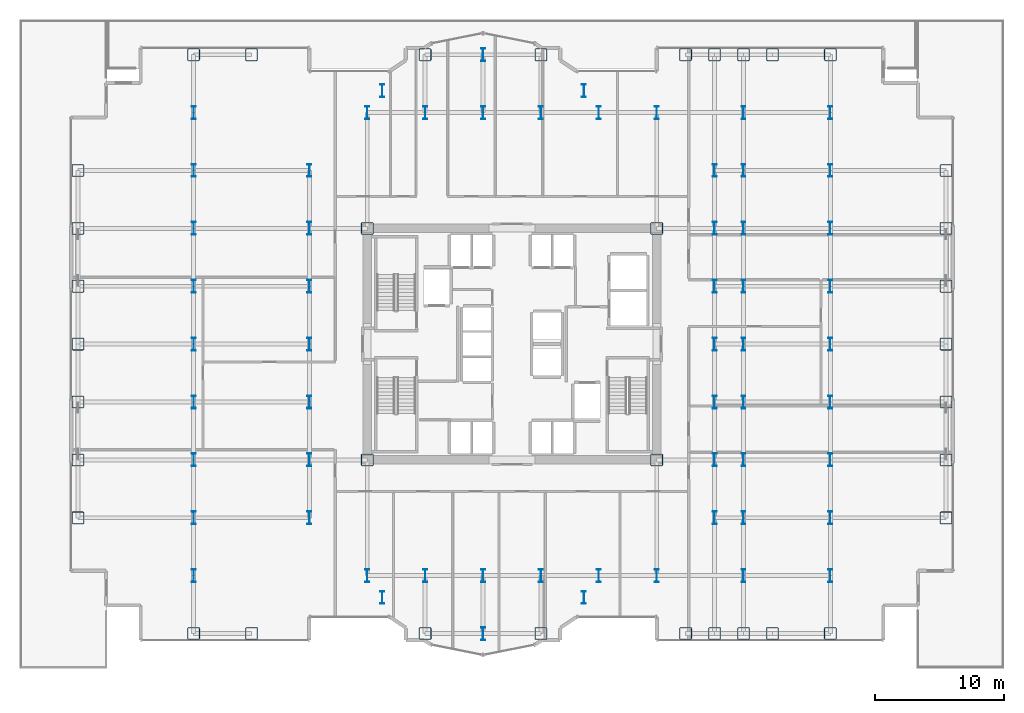
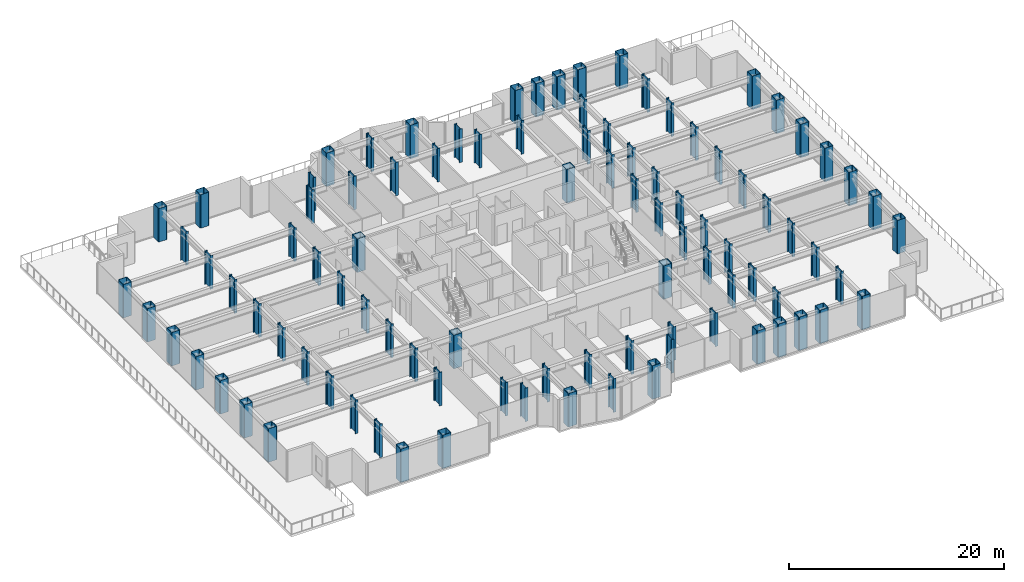
# One storey, part 1 of 30: 95 columns.
"""IFC4 building model written with IfcOpenShell, lengths in metres."""

from ifc_helpers import new_model, si_unit, direction, frame, origin, origin_2d, place, context, subcontext, project, spatial, hollow_rectangle, i_section, extrude, source, transform, mapped, material, material_profile, profile_set, type_object, element, save


model = new_model("IFC4")

# Units and contexts
model_context = context("Model", 3, precision=1e-05, world=origin(), true_north=direction((0.0, 1.0)))
body_context = subcontext(model_context, "Body", "Model", "MODEL_VIEW")
ifc_project = project(units=[si_unit("LENGTHUNIT", "METRE"), si_unit("AREAUNIT", "SQUARE_METRE"), si_unit("VOLUMEUNIT", "CUBIC_METRE"), si_unit("PLANEANGLEUNIT", "RADIAN"), si_unit("MASSUNIT", "GRAM", prefix="KILO")], contexts=[model_context])

# Site, building, storey
site_placement = place(None, origin())
site = spatial("IfcSite", under=ifc_project, at=site_placement, CompositionType="ELEMENT")
building_placement = place(site_placement, origin())
building = spatial("IfcBuilding", under=site, at=building_placement, Name="Nefas-Gora Pilgrimage Tower", CompositionType="ELEMENT")
storey_placement = place(building_placement, frame((0.0, 0.0, 33.0)))
storey = spatial("IfcBuildingStorey", under=building, at=storey_placement, Name="L06", CompositionType="ELEMENT", Elevation=33.0)

# Columns
ifc_material = material(Name="Steel S460", Category="steel")
ifc_material_profile_1 = material_profile(ifc_material, hollow_rectangle(XDim=0.949951171875, YDim=0.949951171875, WallThickness=0.044921875, InnerFilletRadius=0.044921875, OuterFilletRadius=0.090087890625, at=origin_2d()), Name="BOX 950x950x45")
ifc_profile_set_1 = profile_set([ifc_material_profile_1], Name="Steel S460")
column_type_1 = type_object("IfcColumnType", Name="COL-TUBE-950", PredefinedType="COLUMN", material=ifc_profile_set_1)
shared_shape_1 = source(origin(), body_context, "Body", "SweptSolid", [
    extrude(hollow_rectangle(XDim=0.949951171875, YDim=0.949951171875, WallThickness=0.044921875, InnerFilletRadius=0.044921875, OuterFilletRadius=0.090087890625, at=origin_2d()), origin(), (0.0, 0.0, 1.0), 3.800048828125),
])
for number, where, z_axis, x_axis, name in (
    (1, (-33.75, -13.5, 0.0), (0.0, 0.0, 1.0), (1.0, 0.0, 0.0), "L06 Tower Column C-Z1.1"),
    (2, (-33.75, -9.0, 0.0), (0.0, 0.0, 1.0), (1.0, 0.0, 0.0), "L06 Tower Column C-Z1.2"),
    (3, (-33.75, -4.5, 0.0), (0.0, 0.0, 1.0), (1.0, 0.0, 0.0), "L06 Tower Column C-Z1.3"),
    (4, (-33.75, 0.0, 0.0), (0.0, 0.0, 1.0), (1.0, 0.0, 0.0), "L06 Tower Column C-Z1.4"),
    (5, (-33.75, 4.5, 0.0), (0.0, 0.0, 1.0), (1.0, 0.0, 0.0), "L06 Tower Column C-Z1.5"),
    (6, (-33.75, 9.0, 0.0), (0.0, 0.0, 1.0), (1.0, 0.0, 0.0), "L06 Tower Column C-Z1.6"),
    (7, (-33.75, 13.5, 0.0), (0.0, 0.0, 1.0), (1.0, 0.0, 0.0), "L06 Tower Column C-Z1.7"),
    (8, (-24.75, -22.5, 0.0), (0.0, 0.0, 1.0), (1.0, 0.0, 0.0), "L06 Tower Column C-Z1.8"),
    (9, (-24.75, 22.5, 0.0), (0.0, 0.0, 1.0), (1.0, 0.0, 0.0), "L06 Tower Column C-Z1.18"),
    (10, (-20.25, -22.5, 0.0), (0.0, 0.0, 1.0), (1.0, 0.0, 0.0), "L06 Tower Column C-Z1.19"),
    (11, (-20.25, 22.5, 0.0), (0.0, 0.0, 1.0), (1.0, 0.0, 0.0), "L06 Tower Column C-Z1.20"),
    (12, (-6.75, -22.5, 0.0), (0.0, 0.0, 1.0), (1.0, 0.0, 0.0), "L06 Tower Column C-Z1.34"),
    (13, (-6.75, 22.5, 0.0), (0.0, 0.0, 1.0), (1.0, 0.0, 0.0), "L06 Tower Column C-Z1.37"),
    (14, (2.25, -22.5, 0.0), (0.0, 0.0, 1.0), (1.0, 0.0, 0.0), "L06 Tower Column C-Z1.42"),
    (15, (2.25, 22.5, 0.0), (0.0, 0.0, 1.0), (1.0, 0.0, 0.0), "L06 Tower Column C-Z1.45"),
    (16, (13.5, -22.5, 0.0), (0.0, 0.0, 1.0), (1.0, 0.0, 0.0), "L06 Tower Column C-Z1.54"),
    (17, (13.5, 22.5, 0.0), (0.0, 0.0, 1.0), (1.0, 0.0, 0.0), "L06 Tower Column C-Z1.55"),
    (18, (15.75, -22.5, 0.0), (0.0, 0.0, 1.0), (1.0, 0.0, 0.0), "L06 Tower Column C-Z1.56"),
    (19, (15.75, 22.5, 0.0), (0.0, 0.0, 1.0), (1.0, 0.0, 0.0), "L06 Tower Column C-Z1.64"),
    (20, (18.0, -22.5, 0.0), (0.0, 0.0, 1.0), (1.0, 0.0, 0.0), "L06 Tower Column C-Z1.65"),
    (21, (18.0, 22.5, 0.0), (0.0, 0.0, 1.0), (1.0, 0.0, 0.0), "L06 Tower Column C-Z1.75"),
    (22, (20.25, -22.5, 0.0), (0.0, 0.0, 1.0), (1.0, 0.0, 0.0), "L06 Tower Column C-Z1.76"),
    (23, (20.25, 22.5, 0.0), (0.0, 0.0, 1.0), (1.0, 0.0, 0.0), "L06 Tower Column C-Z1.77"),
    (24, (24.75, -22.5, 0.0), (0.0, 0.0, 1.0), (1.0, 0.0, 0.0), "L06 Tower Column C-Z1.78"),
    (25, (24.75, 22.5, 0.0), (0.0, 0.0, 1.0), (1.0, 0.0, 0.0), "L06 Tower Column C-Z1.88"),
    (26, (33.75, -13.5, 0.0), (0.0, 0.0, 1.0), (1.0, 0.0, 0.0), "L06 Tower Column C-Z1.89"),
    (27, (33.75, -9.0, 0.0), (0.0, 0.0, 1.0), (1.0, 0.0, 0.0), "L06 Tower Column C-Z1.90"),
    (28, (33.75, -4.5, 0.0), (0.0, 0.0, 1.0), (1.0, 0.0, 0.0), "L06 Tower Column C-Z1.91"),
    (29, (33.75, 0.0, 0.0), (0.0, 0.0, 1.0), (1.0, 0.0, 0.0), "L06 Tower Column C-Z1.92"),
    (30, (33.75, 4.5, 0.0), (0.0, 0.0, 1.0), (1.0, 0.0, 0.0), "L06 Tower Column C-Z1.93"),
    (31, (33.75, 9.0, 0.0), (0.0, 0.0, 1.0), (1.0, 0.0, 0.0), "L06 Tower Column C-Z1.94"),
    (32, (33.75, 13.5, 0.0), (0.0, 0.0, 1.0), (1.0, 0.0, 0.0), "L06 Tower Column C-Z1.95"),
):
    element("IfcColumn", number, at=place(storey_placement, frame(where, z_axis=z_axis, x_axis=x_axis)), inside=storey, type_object=column_type_1, Name=name, PredefinedType="COLUMN", context=body_context, shape_type="MappedRepresentation", body=[
        mapped(shared_shape_1, transform((0.0, 0.0, 0.0), x_axis=(1.0, 0.0, 0.0), y_axis=(0.0, 1.0, 0.0), z_axis=(0.0, 0.0, 1.0), scale=1.0)),
    ])
ifc_material_profile_2 = material_profile(ifc_material, i_section(OverallWidth=0.302001953125, OverallDepth=1.008056640625, WebThickness=0.02099609375, FlangeThickness=0.0400390625, FilletRadius=0.030029296875, at=origin_2d()), Name="HEM 1000")
ifc_profile_set_2 = profile_set([ifc_material_profile_2], Name="Steel S460")
column_type_2 = type_object("IfcColumnType", Name="COL-WEB-HEM1000", PredefinedType="COLUMN", material=ifc_profile_set_2)
shared_shape_2 = source(origin(), body_context, "Body", "SweptSolid", [
    extrude(i_section(OverallWidth=0.302001953125, OverallDepth=1.008056640625, WebThickness=0.02099609375, FlangeThickness=0.0400390625, FilletRadius=0.030029296875, at=origin_2d()), origin(), (0.0, 0.0, 1.0), 3.800048828125),
])
for number, where, z_axis, x_axis, name in (
    (33, (-24.75, -18.0, 0.0), (0.0, 0.0, 1.0), (1.0, 0.0, 0.0), "L06 Tower Column CW-01.9"),
    (34, (-24.75, -13.5, 0.0), (0.0, 0.0, 1.0), (1.0, 0.0, 0.0), "L06 Tower Column CW-01.10"),
    (35, (-24.75, -9.0, 0.0), (0.0, 0.0, 1.0), (1.0, 0.0, 0.0), "L06 Tower Column CW-01.11"),
    (36, (-24.75, -4.5, 0.0), (0.0, 0.0, 1.0), (1.0, 0.0, 0.0), "L06 Tower Column CW-01.12"),
    (37, (-24.75, 0.0, 0.0), (0.0, 0.0, 1.0), (1.0, 0.0, 0.0), "L06 Tower Column CW-01.13"),
    (38, (-24.75, 4.5, 0.0), (0.0, 0.0, 1.0), (1.0, 0.0, 0.0), "L06 Tower Column CW-01.14"),
    (39, (-24.75, 9.0, 0.0), (0.0, 0.0, 1.0), (1.0, 0.0, 0.0), "L06 Tower Column CW-01.15"),
    (40, (-24.75, 13.5, 0.0), (0.0, 0.0, 1.0), (1.0, 0.0, 0.0), "L06 Tower Column CW-01.16"),
    (41, (-24.75, 18.0, 0.0), (0.0, 0.0, 1.0), (1.0, 0.0, 0.0), "L06 Tower Column CW-01.17"),
    (42, (-15.75, -13.5, 0.0), (0.0, 0.0, 1.0), (1.0, 0.0, 0.0), "L06 Tower Column CW-01.21"),
    (43, (-15.75, -9.0, 0.0), (0.0, 0.0, 1.0), (1.0, 0.0, 0.0), "L06 Tower Column CW-01.22"),
    (44, (-15.75, -4.5, 0.0), (0.0, 0.0, 1.0), (1.0, 0.0, 0.0), "L06 Tower Column CW-01.23"),
    (45, (-15.75, 0.0, 0.0), (0.0, 0.0, 1.0), (1.0, 0.0, 0.0), "L06 Tower Column CW-01.24"),
    (46, (-15.75, 4.5, 0.0), (0.0, 0.0, 1.0), (1.0, 0.0, 0.0), "L06 Tower Column CW-01.25"),
    (47, (-15.75, 9.0, 0.0), (0.0, 0.0, 1.0), (1.0, 0.0, 0.0), "L06 Tower Column CW-01.26"),
    (48, (-15.75, 13.5, 0.0), (0.0, 0.0, 1.0), (1.0, 0.0, 0.0), "L06 Tower Column CW-01.27"),
    (49, (-11.25, -18.0, 0.0), (0.0, 0.0, 1.0), (1.0, 0.0, 0.0), "L06 Tower Column CW-01.28"),
    (50, (-11.25, 18.0, 0.0), (0.0, 0.0, 1.0), (1.0, 0.0, 0.0), "L06 Tower Column CW-01.31"),
    (51, (-10.091064453125, -19.696044921875, 0.0), (0.0, 0.0, 1.0), (1.0, 0.0, 0.0), "L06 Tower Column CW-01.32"),
    (52, (-10.091064453125, 19.696044921875, 0.0), (0.0, 0.0, 1.0), (1.0, 0.0, 0.0), "L06 Tower Column CW-01.33"),
    (53, (-6.75, -18.0, 0.0), (0.0, 0.0, 1.0), (1.0, 0.0, 0.0), "L06 Tower Column CW-01.35"),
    (54, (-6.75, 18.0, 0.0), (0.0, 0.0, 1.0), (1.0, 0.0, 0.0), "L06 Tower Column CW-01.36"),
    (55, (-2.25, -22.5, 0.0), (0.0, 0.0, 1.0), (1.0, 0.0, 0.0), "L06 Tower Column CW-01.38"),
    (56, (-2.25, -18.0, 0.0), (0.0, 0.0, 1.0), (1.0, 0.0, 0.0), "L06 Tower Column CW-01.39"),
    (57, (-2.25, 18.0, 0.0), (0.0, 0.0, 1.0), (1.0, 0.0, 0.0), "L06 Tower Column CW-01.40"),
    (58, (-2.25, 22.5, 0.0), (0.0, 0.0, 1.0), (1.0, 0.0, 0.0), "L06 Tower Column CW-01.41"),
    (59, (2.25, -18.0, 0.0), (0.0, 0.0, 1.0), (1.0, 0.0, 0.0), "L06 Tower Column CW-01.43"),
    (60, (2.25, 18.0, 0.0), (0.0, 0.0, 1.0), (1.0, 0.0, 0.0), "L06 Tower Column CW-01.44"),
    (61, (5.591064453125, -19.696044921875, 0.0), (0.0, 0.0, 1.0), (1.0, 0.0, 0.0), "L06 Tower Column CW-01.46"),
    (62, (5.591064453125, 19.696044921875, 0.0), (0.0, 0.0, 1.0), (1.0, 0.0, 0.0), "L06 Tower Column CW-01.47"),
    (63, (6.75, -18.0, 0.0), (0.0, 0.0, 1.0), (1.0, 0.0, 0.0), "L06 Tower Column CW-01.48"),
    (64, (6.75, 18.0, 0.0), (0.0, 0.0, 1.0), (1.0, 0.0, 0.0), "L06 Tower Column CW-01.49"),
    (65, (11.25, -18.0, 0.0), (0.0, 0.0, 1.0), (1.0, 0.0, 0.0), "L06 Tower Column CW-01.50"),
    (66, (11.25, 18.0, 0.0), (0.0, 0.0, 1.0), (1.0, 0.0, 0.0), "L06 Tower Column CW-01.53"),
    (67, (15.75, -13.5, 0.0), (0.0, 0.0, 1.0), (1.0, 0.0, 0.0), "L06 Tower Column CW-01.57"),
    (68, (15.75, -9.0, 0.0), (0.0, 0.0, 1.0), (1.0, 0.0, 0.0), "L06 Tower Column CW-01.58"),
    (69, (15.75, -4.5, 0.0), (0.0, 0.0, 1.0), (1.0, 0.0, 0.0), "L06 Tower Column CW-01.59"),
    (70, (15.75, 0.0, 0.0), (0.0, 0.0, 1.0), (1.0, 0.0, 0.0), "L06 Tower Column CW-01.60"),
    (71, (15.75, 4.5, 0.0), (0.0, 0.0, 1.0), (1.0, 0.0, 0.0), "L06 Tower Column CW-01.61"),
    (72, (15.75, 9.0, 0.0), (0.0, 0.0, 1.0), (1.0, 0.0, 0.0), "L06 Tower Column CW-01.62"),
    (73, (15.75, 13.5, 0.0), (0.0, 0.0, 1.0), (1.0, 0.0, 0.0), "L06 Tower Column CW-01.63"),
    (74, (18.0, -18.0, 0.0), (0.0, 0.0, 1.0), (1.0, 0.0, 0.0), "L06 Tower Column CW-01.66"),
    (75, (18.0, -13.5, 0.0), (0.0, 0.0, 1.0), (1.0, 0.0, 0.0), "L06 Tower Column CW-01.67"),
    (76, (18.0, -9.0, 0.0), (0.0, 0.0, 1.0), (1.0, 0.0, 0.0), "L06 Tower Column CW-01.68"),
    (77, (18.0, -4.5, 0.0), (0.0, 0.0, 1.0), (1.0, 0.0, 0.0), "L06 Tower Column CW-01.69"),
    (78, (18.0, 0.0, 0.0), (0.0, 0.0, 1.0), (1.0, 0.0, 0.0), "L06 Tower Column CW-01.70"),
    (79, (18.0, 4.5, 0.0), (0.0, 0.0, 1.0), (1.0, 0.0, 0.0), "L06 Tower Column CW-01.71"),
    (80, (18.0, 9.0, 0.0), (0.0, 0.0, 1.0), (1.0, 0.0, 0.0), "L06 Tower Column CW-01.72"),
    (81, (18.0, 13.5, 0.0), (0.0, 0.0, 1.0), (1.0, 0.0, 0.0), "L06 Tower Column CW-01.73"),
    (82, (18.0, 18.0, 0.0), (0.0, 0.0, 1.0), (1.0, 0.0, 0.0), "L06 Tower Column CW-01.74"),
    (83, (24.75, -18.0, 0.0), (0.0, 0.0, 1.0), (1.0, 0.0, 0.0), "L06 Tower Column CW-01.79"),
    (84, (24.75, -13.5, 0.0), (0.0, 0.0, 1.0), (1.0, 0.0, 0.0), "L06 Tower Column CW-01.80"),
    (85, (24.75, -9.0, 0.0), (0.0, 0.0, 1.0), (1.0, 0.0, 0.0), "L06 Tower Column CW-01.81"),
    (86, (24.75, -4.5, 0.0), (0.0, 0.0, 1.0), (1.0, 0.0, 0.0), "L06 Tower Column CW-01.82"),
    (87, (24.75, 0.0, 0.0), (0.0, 0.0, 1.0), (1.0, 0.0, 0.0), "L06 Tower Column CW-01.83"),
    (88, (24.75, 4.5, 0.0), (0.0, 0.0, 1.0), (1.0, 0.0, 0.0), "L06 Tower Column CW-01.84"),
    (89, (24.75, 9.0, 0.0), (0.0, 0.0, 1.0), (1.0, 0.0, 0.0), "L06 Tower Column CW-01.85"),
    (90, (24.75, 13.5, 0.0), (0.0, 0.0, 1.0), (1.0, 0.0, 0.0), "L06 Tower Column CW-01.86"),
    (91, (24.75, 18.0, 0.0), (0.0, 0.0, 1.0), (1.0, 0.0, 0.0), "L06 Tower Column CW-01.87"),
):
    element("IfcColumn", number, at=place(storey_placement, frame(where, z_axis=z_axis, x_axis=x_axis)), inside=storey, type_object=column_type_2, Name=name, PredefinedType="COLUMN", context=body_context, shape_type="MappedRepresentation", body=[
        mapped(shared_shape_2, transform((0.0, 0.0, 0.0), x_axis=(1.0, 0.0, 0.0), y_axis=(0.0, 1.0, 0.0), z_axis=(0.0, 0.0, 1.0), scale=1.0)),
    ])
ifc_material_profile_3 = material_profile(ifc_material, hollow_rectangle(XDim=0.949951171875, YDim=0.949951171875, WallThickness=0.044921875, InnerFilletRadius=0.044921875, OuterFilletRadius=0.090087890625, at=origin_2d()), Name="BOX 950x950x45")
ifc_profile_set_3 = profile_set([ifc_material_profile_3], Name="Steel S460")
column_type_3 = type_object("IfcColumnType", Name="COL-CORE-950", PredefinedType="COLUMN", material=ifc_profile_set_3)
shared_shape_3 = source(origin(), body_context, "Body", "SweptSolid", [
    extrude(hollow_rectangle(XDim=0.949951171875, YDim=0.949951171875, WallThickness=0.044921875, InnerFilletRadius=0.044921875, OuterFilletRadius=0.090087890625, at=origin_2d()), origin(), (0.0, 0.0, 1.0), 3.800048828125),
])
for number, where, z_axis, x_axis, name in (
    (92, (-11.25, -9.0, 0.0), (0.0, 0.0, 1.0), (1.0, 0.0, 0.0), "L06 Tower Column CC-Z1.29"),
    (93, (-11.25, 9.0, 0.0), (0.0, 0.0, 1.0), (1.0, 0.0, 0.0), "L06 Tower Column CC-Z1.30"),
    (94, (11.25, -9.0, 0.0), (0.0, 0.0, 1.0), (1.0, 0.0, 0.0), "L06 Tower Column CC-Z1.51"),
    (95, (11.25, 9.0, 0.0), (0.0, 0.0, 1.0), (1.0, 0.0, 0.0), "L06 Tower Column CC-Z1.52"),
):
    element("IfcColumn", number, at=place(storey_placement, frame(where, z_axis=z_axis, x_axis=x_axis)), inside=storey, type_object=column_type_3, Name=name, PredefinedType="COLUMN", context=body_context, shape_type="MappedRepresentation", body=[
        mapped(shared_shape_3, transform((0.0, 0.0, 0.0), x_axis=(1.0, 0.0, 0.0), y_axis=(0.0, 1.0, 0.0), z_axis=(0.0, 0.0, 1.0), scale=1.0)),
    ])

save(model, "model.ifc")
